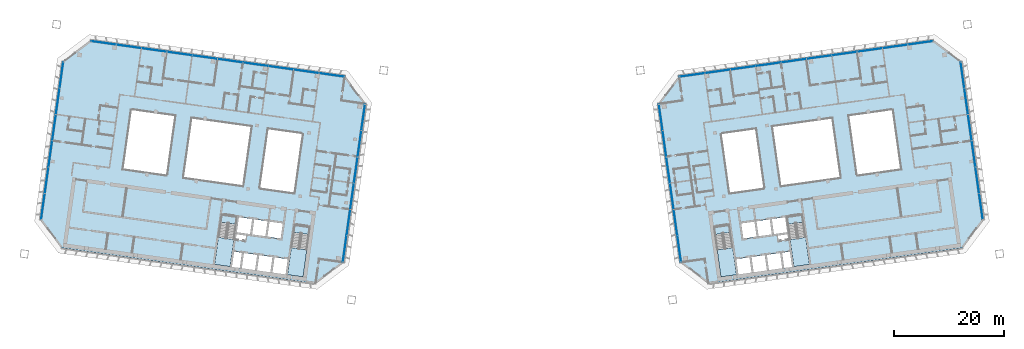
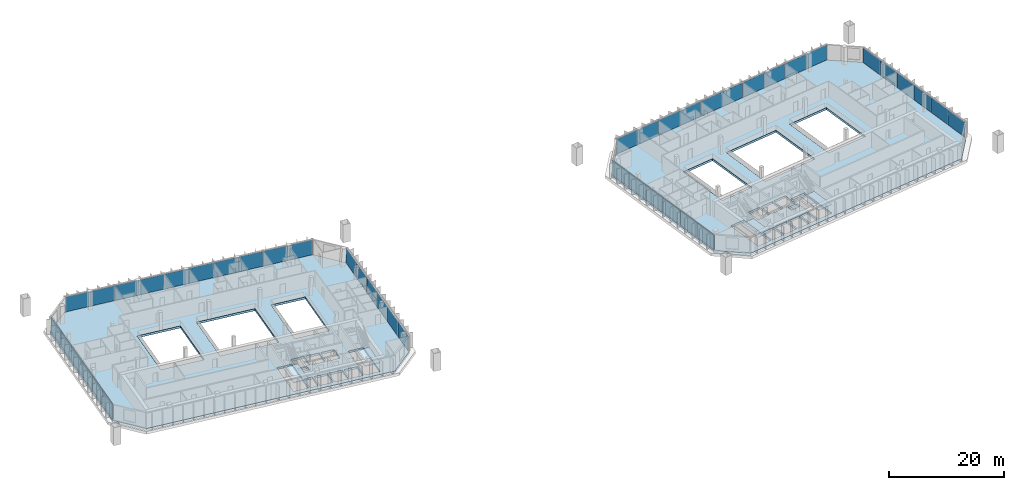
# One storey, part 12 of 23: 44 plates, 6 slabs, 10 elements without a shape of their own.
"""IFC4 building model written with IfcOpenShell, lengths in metres."""

import ifcopenshell
import ifcopenshell.guid

model = None  # the IFC model being written
_history = None  # IfcOwnerHistory: only IFC2X3 demands one
_inside = {}  # id of a spatial element -> (the spatial element, [elements in it])
_under = {}  # id of a project, library or spatial element -> (it, [spatial elements below it])
_declared = {}  # id of a project -> (the project, [libraries it declares])
_typed = {}  # id of a type object -> (the type object, [elements of that type])
_made_of = {}  # id of a material, layer set ... -> (it, [elements and type objects made of it])


def new_model(schema):
    """Start an empty IFC model of exactly this schema.

    Asked for "IFC4X3", IfcOpenShell would pick the latest addendum, in which some entities
    have other attributes; the version numbers below select the first issue.
    IFC2X3 requires an IfcOwnerHistory on every rooted entity: one is made here for all.
    """
    global model, _history
    if schema == "IFC4X3":
        model = ifcopenshell.file(schema_version=(4, 3, 0, 0))
    else:
        model = ifcopenshell.file(schema=schema)
    _inside.clear()
    _under.clear()
    _declared.clear()
    _typed.clear()
    _made_of.clear()
    _history = None
    if model.schema == "IFC2X3":
        org = make("IfcOrganization", Name="unknown")
        user = make(
            "IfcPersonAndOrganization",
            ThePerson=make("IfcPerson", FamilyName="unknown"),
            TheOrganization=org,
        )
        app = make(
            "IfcApplication",
            ApplicationDeveloper=org,
            Version="unknown",
            ApplicationFullName="unknown",
            ApplicationIdentifier="unknown",
        )
        _history = make(
            "IfcOwnerHistory",
            OwningUser=user,
            OwningApplication=app,
            ChangeAction="ADDED",
            CreationDate=0,
        )
    return model


def make(cls, **values):
    """One entity of the class cls with the attributes given. An attribute that is None is left unset."""
    return model.create_entity(
        cls, **{name: value for name, value in values.items() if value is not None}
    )


def rooted(cls, **values):
    """An entity with a GlobalId (a new one), such as an element, a storey or a relation."""
    return make(cls, GlobalId=ifcopenshell.guid.new(), OwnerHistory=_history, **values)


def si_unit(unit_type, name, prefix=None):
    """IfcSIUnit, for example si_unit("LENGTHUNIT", "METRE", prefix="MILLI")."""
    return make("IfcSIUnit", UnitType=unit_type, Prefix=prefix, Name=name)


def assignment(units):
    """IfcUnitAssignment: the units of a project."""
    return None if units is None else make("IfcUnitAssignment", Units=units)


def point(xyz):
    """IfcCartesianPoint."""
    return None if xyz is None else make("IfcCartesianPoint", Coordinates=xyz)


def direction(xyz):
    """IfcDirection."""
    return None if xyz is None else make("IfcDirection", DirectionRatios=xyz)


def frame(location, z_axis=None, x_axis=None):
    """IfcAxis2Placement3D, a coordinate frame: its origin and axes. An axis left out is left unset."""
    return make(
        "IfcAxis2Placement3D",
        Location=point(location),
        Axis=direction(z_axis),
        RefDirection=direction(x_axis),
    )


def frame_2d(location, x_axis=None):
    """IfcAxis2Placement2D, a coordinate frame in the plane: its origin and x axis."""
    return make(
        "IfcAxis2Placement2D", Location=point(location), RefDirection=direction(x_axis)
    )


def origin():
    """The frame at (0, 0, 0) with its axes left unset."""
    return frame((0.0, 0.0, 0.0))


def origin_2d():
    """The frame at (0, 0) in the plane with its x axis left unset."""
    return frame_2d((0.0, 0.0))


def place(relative_to, where):
    """IfcLocalPlacement: puts the frame where relative to a parent placement (None: the world)."""
    return make(
        "IfcLocalPlacement", PlacementRelTo=relative_to, RelativePlacement=where
    )


def context(
    kind, dimensions, precision=None, world=None, true_north=None, identifier=None
):
    """IfcGeometricRepresentationContext, for example the 3D "Model" context."""
    return make(
        "IfcGeometricRepresentationContext",
        ContextIdentifier=identifier,
        ContextType=kind,
        CoordinateSpaceDimension=dimensions,
        Precision=precision,
        WorldCoordinateSystem=world,
        TrueNorth=true_north,
    )


def subcontext(parent, identifier, kind, view, scale=None):
    """IfcGeometricRepresentationSubContext, for example "Body" below "Model"."""
    return make(
        "IfcGeometricRepresentationSubContext",
        ContextIdentifier=identifier,
        ContextType=kind,
        ParentContext=parent,
        TargetScale=scale,
        TargetView=view,
    )


def project(units=None, contexts=None):
    """IfcProject with its units and contexts."""
    return rooted(
        "IfcProject",
        Name="project",
        RepresentationContexts=contexts,
        UnitsInContext=assignment(units),
    )


def spatial(cls, under=None, at=None, **own):
    """A site, building, storey or space (cls), placed at a placement, below another one or the project."""
    s = rooted(cls, ObjectPlacement=at, **own)
    if under is not None:
        _under.setdefault(under.id(), (under, []))[1].append(s)
    return s


def polyline(points):
    """IfcPolyline through the points."""
    return make("IfcPolyline", Points=[point(p) for p in points])


def profile(cls, at=None, kind="AREA", **sizes):
    """A parametric profile (cls). Its sizes go by their IFC names, for example OverallWidth=200.0."""
    return make(cls, ProfileType=kind, Position=at, **sizes)


def rectangle(**sizes):
    """IfcRectangleProfileDef."""
    return profile("IfcRectangleProfileDef", **sizes)


def outline(outer, holes=None, kind="AREA"):
    """IfcArbitraryClosedProfileDef: a profile drawn as a closed curve; with holes, ...WithVoids."""
    if holes is None:
        return make("IfcArbitraryClosedProfileDef", ProfileType=kind, OuterCurve=outer)
    return make(
        "IfcArbitraryProfileDefWithVoids",
        ProfileType=kind,
        OuterCurve=outer,
        InnerCurves=holes,
    )


def extrude(swept, where, along, depth):
    """IfcExtrudedAreaSolid: the profile swept, set in the frame where, extruded along a direction by depth."""
    return make(
        "IfcExtrudedAreaSolid",
        SweptArea=swept,
        Position=where,
        ExtrudedDirection=direction(along),
        Depth=depth,
    )


def shape(context_of_items, identifier, shape_type, items):
    """IfcShapeRepresentation: the items that make up one representation, for example the "Body"."""
    return make(
        "IfcShapeRepresentation",
        ContextOfItems=context_of_items,
        RepresentationIdentifier=identifier,
        RepresentationType=shape_type,
        Items=items,
    )


def material(Name=None, Category=None):
    """IfcMaterial."""
    return make("IfcMaterial", Name=Name, Category=Category)


def layer(
    of_material, thickness, ventilated=None, Name=None, Category=None, Priority=None
):
    """IfcMaterialLayer: one layer of a wall or slab, of a material (None: an air gap)."""
    return make(
        "IfcMaterialLayer",
        Material=of_material,
        LayerThickness=thickness,
        IsVentilated=ventilated,
        Name=Name,
        Category=Category,
        Priority=Priority,
    )


def layer_set(layers, Name=None):
    """IfcMaterialLayerSet."""
    return make("IfcMaterialLayerSet", MaterialLayers=layers, LayerSetName=Name)


def made_of(thing, what):
    """Note that an element or type object is made of a material, layer set ...; save() writes the relation."""
    if what is not None:
        _made_of.setdefault(what.id(), (what, []))[1].append(thing)
    return thing


def type_object(cls, material=None, **own):
    """A type object (cls), such as IfcWallType, which elements share."""
    return made_of(rooted(cls, **own), material)


def element(
    cls,
    number,
    at=None,
    inside=None,
    cuts=None,
    type_object=None,
    material=None,
    context=None,
    identifier="Body",
    shape_type=None,
    held_by="IfcProductDefinitionShape",
    body=None,
    shapes=None,
    **own,
):
    """One element of the class cls, such as IfcWall. Its Tag is "e" and its number.

    at: its placement. inside: the storey or other place that contains it. cuts: it is an
    opening in that element (IfcRelVoidsElement). A single representation is given by context,
    identifier, shape_type and body (its items); several are given by shapes. held_by: the class
    of the entity that holds the representations. save() writes the other relations.
    """
    e = rooted(cls, Tag="e%d" % number, ObjectPlacement=at, **own)
    if body is not None:
        shapes = [shape(context, identifier, shape_type, body)]
    if shapes is not None:
        e.Representation = make(held_by, Representations=shapes)
    if inside is not None:
        _inside.setdefault(inside.id(), (inside, []))[1].append(e)
    if cuts is not None:
        rooted(
            "IfcRelVoidsElement", RelatingBuildingElement=cuts, RelatedOpeningElement=e
        )
    if type_object is not None:
        _typed.setdefault(type_object.id(), (type_object, []))[1].append(e)
    return made_of(e, material)


def aggregate(whole, parts):
    """IfcRelAggregates: a whole, such as a stair, and the parts it consists of."""
    return rooted("IfcRelAggregates", RelatingObject=whole, RelatedObjects=parts)


def save(model, path):
    """Write the relations noted so far, then the file.

    IfcRelAggregates (storeys below a building ...), IfcRelContainedInSpatialStructure (elements
    in a storey), IfcRelDefinesByType, IfcRelAssociatesMaterial and IfcRelDeclares: one each for
    every whole, place, type object, material and project.
    """
    for whole, parts in _under.values():
        aggregate(whole, parts)
    for where, things in _inside.values():
        rooted(
            "IfcRelContainedInSpatialStructure",
            RelatedElements=things,
            RelatingStructure=where,
        )
    for kind, things in _typed.values():
        rooted("IfcRelDefinesByType", RelatedObjects=things, RelatingType=kind)
    for what, things in _made_of.values():
        rooted("IfcRelAssociatesMaterial", RelatedObjects=things, RelatingMaterial=what)
    for by, libraries in _declared.values():
        rooted("IfcRelDeclares", RelatingContext=by, RelatedDefinitions=libraries)
    model.write(path)


model = new_model("IFC4")

# Units and contexts
model_context = context("Model", 3, precision=1e-05, world=origin(), true_north=direction((0.0, 1.0)))
body_context = subcontext(model_context, "Body", "Model", "MODEL_VIEW")
ifc_project = project(units=[si_unit("LENGTHUNIT", "METRE"), si_unit("AREAUNIT", "SQUARE_METRE"), si_unit("VOLUMEUNIT", "CUBIC_METRE"), si_unit("PLANEANGLEUNIT", "RADIAN"), si_unit("MASSUNIT", "GRAM", prefix="KILO")], contexts=[model_context])

# Site, building, storey
site_placement = place(None, origin())
site = spatial("IfcSite", under=ifc_project, at=site_placement, CompositionType="ELEMENT")
building_placement = place(site_placement, origin())
building = spatial("IfcBuilding", under=site, at=building_placement, Name="Mirante Cascada Hotel Towers", CompositionType="ELEMENT")
storey_placement = place(building_placement, frame((0.0, 0.0, 187.8)))
storey = spatial("IfcBuildingStorey", under=building, at=storey_placement, Name="L44", CompositionType="ELEMENT", Elevation=187.8)

# Curtain wall, plates
ifc_material_1 = material(Name="Aluminium mullion and transom frame with clear laminated glass", Category="aluminium")
curtain_wall_type_1 = type_object("IfcCurtainWallType", Name="Ribbon curtain wall ECW1", PredefinedType="NOTDEFINED", material=ifc_material_1)
curtain_wall_1_placement = place(storey_placement, origin())
curtain_wall_1 = element("IfcCurtainWall", 1, at=curtain_wall_1_placement, inside=storey, type_object=curtain_wall_type_1, Name="Front ribbon wall T1 L44", PredefinedType="NOTDEFINED")
ifc_material_2 = material(Name="Clear laminated glass", Category="glass")
ifc_layer_1 = layer(ifc_material_2, 0.036)
ifc_layer_set_1 = layer_set([ifc_layer_1], Name="ECW1 glass panel 36")
plate_type_1 = type_object("IfcPlateType", Name="ECW1 glass panel 36", PredefinedType="CURTAIN_PANEL", material=ifc_layer_set_1)
plate_1_placement = place(storey_placement, frame((-74.0197, 23.2218, 0.1), z_axis=(0.0, 0.0, 1.0), x_axis=(0.9902681, -0.1391731, 0.0)))
plate_1 = element("IfcPlate", 2, at=plate_1_placement, type_object=plate_type_1, Name="ECW1 panel 1", PredefinedType="CURTAIN_PANEL", context=body_context, shape_type="SweptSolid", body=[
    extrude(rectangle(XDim=4.5428, YDim=0.036, at=origin_2d()), origin(), (0.0, 0.0, 1.0), 3.15),
])
plate_2_placement = place(storey_placement, frame((-69.4406, 22.5783, 0.1), z_axis=(0.0, 0.0, 1.0), x_axis=(0.9902681, -0.1391731, 0.0)))
plate_2 = element("IfcPlate", 3, at=plate_2_placement, type_object=plate_type_1, Name="ECW1 panel 2", PredefinedType="CURTAIN_PANEL", context=body_context, shape_type="SweptSolid", body=[
    extrude(rectangle(XDim=4.5753, YDim=0.036, at=origin_2d()), origin(), (0.0, 0.0, 1.0), 3.15),
])
plate_3_placement = place(storey_placement, frame((-64.8455, 21.9325, 0.1), z_axis=(0.0, 0.0, 1.0), x_axis=(0.9902681, -0.1391731, 0.0)))
plate_3 = element("IfcPlate", 4, at=plate_3_placement, type_object=plate_type_1, Name="ECW1 panel 3", PredefinedType="CURTAIN_PANEL", context=body_context, shape_type="SweptSolid", body=[
    extrude(rectangle(XDim=4.5753, YDim=0.036, at=origin_2d()), origin(), (0.0, 0.0, 1.0), 3.15),
])
plate_4_placement = place(storey_placement, frame((-60.2503, 21.2867, 0.1), z_axis=(0.0, 0.0, 1.0), x_axis=(0.9902681, -0.1391731, 0.0)))
plate_4 = element("IfcPlate", 5, at=plate_4_placement, type_object=plate_type_1, Name="ECW1 panel 4", PredefinedType="CURTAIN_PANEL", context=body_context, shape_type="SweptSolid", body=[
    extrude(rectangle(XDim=4.5753, YDim=0.036, at=origin_2d()), origin(), (0.0, 0.0, 1.0), 3.15),
])
plate_5_placement = place(storey_placement, frame((-55.6552, 20.6408, 0.1), z_axis=(0.0, 0.0, 1.0), x_axis=(0.9902681, -0.1391731, 0.0)))
plate_5 = element("IfcPlate", 6, at=plate_5_placement, type_object=plate_type_1, Name="ECW1 panel 5", PredefinedType="CURTAIN_PANEL", context=body_context, shape_type="SweptSolid", body=[
    extrude(rectangle(XDim=4.5753, YDim=0.036, at=origin_2d()), origin(), (0.0, 0.0, 1.0), 3.15),
])
plate_6_placement = place(storey_placement, frame((-51.06, 19.995, 0.1), z_axis=(0.0, 0.0, 1.0), x_axis=(0.9902681, -0.1391731, 0.0)))
plate_6 = element("IfcPlate", 7, at=plate_6_placement, type_object=plate_type_1, Name="ECW1 panel 6", PredefinedType="CURTAIN_PANEL", context=body_context, shape_type="SweptSolid", body=[
    extrude(rectangle(XDim=4.5753, YDim=0.036, at=origin_2d()), origin(), (0.0, 0.0, 1.0), 3.15),
])
plate_7_placement = place(storey_placement, frame((-46.4649, 19.3492, 0.1), z_axis=(0.0, 0.0, 1.0), x_axis=(0.9902681, -0.1391731, 0.0)))
plate_7 = element("IfcPlate", 8, at=plate_7_placement, type_object=plate_type_1, Name="ECW1 panel 7", PredefinedType="CURTAIN_PANEL", context=body_context, shape_type="SweptSolid", body=[
    extrude(rectangle(XDim=4.5753, YDim=0.036, at=origin_2d()), origin(), (0.0, 0.0, 1.0), 3.15),
])
plate_8_placement = place(storey_placement, frame((-41.8697, 18.7034, 0.1), z_axis=(0.0, 0.0, 1.0), x_axis=(0.9902681, -0.1391731, 0.0)))
plate_8 = element("IfcPlate", 9, at=plate_8_placement, type_object=plate_type_1, Name="ECW1 panel 8", PredefinedType="CURTAIN_PANEL", context=body_context, shape_type="SweptSolid", body=[
    extrude(rectangle(XDim=4.5753, YDim=0.036, at=origin_2d()), origin(), (0.0, 0.0, 1.0), 3.15),
])
plate_9_placement = place(storey_placement, frame((-37.2746, 18.0576, 0.1), z_axis=(0.0, 0.0, 1.0), x_axis=(0.9902681, -0.1391731, 0.0)))
plate_9 = element("IfcPlate", 10, at=plate_9_placement, type_object=plate_type_1, Name="ECW1 panel 9", PredefinedType="CURTAIN_PANEL", context=body_context, shape_type="SweptSolid", body=[
    extrude(rectangle(XDim=4.5753, YDim=0.036, at=origin_2d()), origin(), (0.0, 0.0, 1.0), 3.15),
])
plate_10_placement = place(storey_placement, frame((-32.6955, 17.4141, 0.1), z_axis=(0.0, 0.0, 1.0), x_axis=(0.9902681, -0.1391731, 0.0)))
plate_10 = element("IfcPlate", 11, at=plate_10_placement, type_object=plate_type_1, Name="ECW1 panel 10", PredefinedType="CURTAIN_PANEL", context=body_context, shape_type="SweptSolid", body=[
    extrude(rectangle(XDim=4.5428, YDim=0.036, at=origin_2d()), origin(), (0.0, 0.0, 1.0), 3.15),
])
aggregate(curtain_wall_1, [plate_1, plate_2, plate_3, plate_4, plate_5, plate_6, plate_7, plate_8, plate_9, plate_10])

curtain_wall_2_placement = place(storey_placement, origin())
curtain_wall_2 = element("IfcCurtainWall", 12, at=curtain_wall_2_placement, inside=storey, type_object=curtain_wall_type_1, Name="Front ribbon wall T2 L44", PredefinedType="NOTDEFINED")
plate_11_placement = place(storey_placement, frame((74.0197, 23.2218, 0.1), z_axis=(0.0, 0.0, 1.0), x_axis=(-0.9902681, -0.1391731, 0.0)))
plate_11 = element("IfcPlate", 13, at=plate_11_placement, type_object=plate_type_1, Name="ECW1 panel 1", PredefinedType="CURTAIN_PANEL", context=body_context, shape_type="SweptSolid", body=[
    extrude(rectangle(XDim=4.5428, YDim=0.036, at=origin_2d()), origin(), (0.0, 0.0, 1.0), 3.15),
])
plate_12_placement = place(storey_placement, frame((69.4406, 22.5783, 0.1), z_axis=(0.0, 0.0, 1.0), x_axis=(-0.9902681, -0.1391731, 0.0)))
plate_12 = element("IfcPlate", 14, at=plate_12_placement, type_object=plate_type_1, Name="ECW1 panel 2", PredefinedType="CURTAIN_PANEL", context=body_context, shape_type="SweptSolid", body=[
    extrude(rectangle(XDim=4.5753, YDim=0.036, at=origin_2d()), origin(), (0.0, 0.0, 1.0), 3.15),
])
plate_13_placement = place(storey_placement, frame((64.8455, 21.9325, 0.1), z_axis=(0.0, 0.0, 1.0), x_axis=(-0.9902681, -0.1391731, 0.0)))
plate_13 = element("IfcPlate", 15, at=plate_13_placement, type_object=plate_type_1, Name="ECW1 panel 3", PredefinedType="CURTAIN_PANEL", context=body_context, shape_type="SweptSolid", body=[
    extrude(rectangle(XDim=4.5753, YDim=0.036, at=origin_2d()), origin(), (0.0, 0.0, 1.0), 3.15),
])
plate_14_placement = place(storey_placement, frame((60.2503, 21.2867, 0.1), z_axis=(0.0, 0.0, 1.0), x_axis=(-0.9902681, -0.1391731, 0.0)))
plate_14 = element("IfcPlate", 16, at=plate_14_placement, type_object=plate_type_1, Name="ECW1 panel 4", PredefinedType="CURTAIN_PANEL", context=body_context, shape_type="SweptSolid", body=[
    extrude(rectangle(XDim=4.5753, YDim=0.036, at=origin_2d()), origin(), (0.0, 0.0, 1.0), 3.15),
])
plate_15_placement = place(storey_placement, frame((55.6552, 20.6408, 0.1), z_axis=(0.0, 0.0, 1.0), x_axis=(-0.9902681, -0.1391731, 0.0)))
plate_15 = element("IfcPlate", 17, at=plate_15_placement, type_object=plate_type_1, Name="ECW1 panel 5", PredefinedType="CURTAIN_PANEL", context=body_context, shape_type="SweptSolid", body=[
    extrude(rectangle(XDim=4.5753, YDim=0.036, at=origin_2d()), origin(), (0.0, 0.0, 1.0), 3.15),
])
plate_16_placement = place(storey_placement, frame((51.06, 19.995, 0.1), z_axis=(0.0, 0.0, 1.0), x_axis=(-0.9902681, -0.1391731, 0.0)))
plate_16 = element("IfcPlate", 18, at=plate_16_placement, type_object=plate_type_1, Name="ECW1 panel 6", PredefinedType="CURTAIN_PANEL", context=body_context, shape_type="SweptSolid", body=[
    extrude(rectangle(XDim=4.5753, YDim=0.036, at=origin_2d()), origin(), (0.0, 0.0, 1.0), 3.15),
])
plate_17_placement = place(storey_placement, frame((46.4649, 19.3492, 0.1), z_axis=(0.0, 0.0, 1.0), x_axis=(-0.9902681, -0.1391731, 0.0)))
plate_17 = element("IfcPlate", 19, at=plate_17_placement, type_object=plate_type_1, Name="ECW1 panel 7", PredefinedType="CURTAIN_PANEL", context=body_context, shape_type="SweptSolid", body=[
    extrude(rectangle(XDim=4.5753, YDim=0.036, at=origin_2d()), origin(), (0.0, 0.0, 1.0), 3.15),
])
plate_18_placement = place(storey_placement, frame((41.8697, 18.7034, 0.1), z_axis=(0.0, 0.0, 1.0), x_axis=(-0.9902681, -0.1391731, 0.0)))
plate_18 = element("IfcPlate", 20, at=plate_18_placement, type_object=plate_type_1, Name="ECW1 panel 8", PredefinedType="CURTAIN_PANEL", context=body_context, shape_type="SweptSolid", body=[
    extrude(rectangle(XDim=4.5753, YDim=0.036, at=origin_2d()), origin(), (0.0, 0.0, 1.0), 3.15),
])
plate_19_placement = place(storey_placement, frame((37.2746, 18.0576, 0.1), z_axis=(0.0, 0.0, 1.0), x_axis=(-0.9902681, -0.1391731, 0.0)))
plate_19 = element("IfcPlate", 21, at=plate_19_placement, type_object=plate_type_1, Name="ECW1 panel 9", PredefinedType="CURTAIN_PANEL", context=body_context, shape_type="SweptSolid", body=[
    extrude(rectangle(XDim=4.5753, YDim=0.036, at=origin_2d()), origin(), (0.0, 0.0, 1.0), 3.15),
])
plate_20_placement = place(storey_placement, frame((32.6955, 17.4141, 0.1), z_axis=(0.0, 0.0, 1.0), x_axis=(-0.9902681, -0.1391731, 0.0)))
plate_20 = element("IfcPlate", 22, at=plate_20_placement, type_object=plate_type_1, Name="ECW1 panel 10", PredefinedType="CURTAIN_PANEL", context=body_context, shape_type="SweptSolid", body=[
    extrude(rectangle(XDim=4.5428, YDim=0.036, at=origin_2d()), origin(), (0.0, 0.0, 1.0), 3.15),
])
aggregate(curtain_wall_2, [plate_11, plate_12, plate_13, plate_14, plate_15, plate_16, plate_17, plate_18, plate_19, plate_20])

ifc_material_3 = material(Name="Aluminium mullion and transom frame with clear laminated glass", Category="aluminium")
curtain_wall_type_2 = type_object("IfcCurtainWallType", Name="End ribbon curtain wall ECW2", PredefinedType="NOTDEFINED", material=ifc_material_3)
curtain_wall_3_placement = place(storey_placement, origin())
curtain_wall_3 = element("IfcCurtainWall", 23, at=curtain_wall_3_placement, inside=storey, type_object=curtain_wall_type_2, Name="Inner end wall T1 L44", PredefinedType="NOTDEFINED")
ifc_material_4 = material(Name="Clear laminated glass", Category="glass")
ifc_layer_2 = layer(ifc_material_4, 0.034)
ifc_layer_set_2 = layer_set([ifc_layer_2], Name="ECW2 glass panel 34")
plate_type_2 = type_object("IfcPlateType", Name="ECW2 glass panel 34", PredefinedType="CURTAIN_PANEL", material=ifc_layer_set_2)
plate_21_placement = place(storey_placement, frame((-26.9638, 9.7067, 0.1), z_axis=(0.0, 0.0, 1.0), x_axis=(-0.1391731, -0.9902681, 0.0)))
plate_21 = element("IfcPlate", 24, at=plate_21_placement, type_object=plate_type_2, Name="ECW2 panel 1", PredefinedType="CURTAIN_PANEL", context=body_context, shape_type="SweptSolid", body=[
    extrude(rectangle(XDim=4.7151, YDim=0.034, at=origin_2d()), origin(), (0.0, 0.0, 1.0), 3.15),
])
plate_22_placement = place(storey_placement, frame((-27.6314, 4.957, 0.1), z_axis=(0.0, 0.0, 1.0), x_axis=(-0.1391731, -0.9902681, 0.0)))
plate_22 = element("IfcPlate", 25, at=plate_22_placement, type_object=plate_type_2, Name="ECW2 panel 2", PredefinedType="CURTAIN_PANEL", context=body_context, shape_type="SweptSolid", body=[
    extrude(rectangle(XDim=4.7476, YDim=0.034, at=origin_2d()), origin(), (0.0, 0.0, 1.0), 3.15),
])
plate_23_placement = place(storey_placement, frame((-28.3012, 0.1912, 0.1), z_axis=(0.0, 0.0, 1.0), x_axis=(-0.1391731, -0.9902681, 0.0)))
plate_23 = element("IfcPlate", 26, at=plate_23_placement, type_object=plate_type_2, Name="ECW2 panel 3", PredefinedType="CURTAIN_PANEL", context=body_context, shape_type="SweptSolid", body=[
    extrude(rectangle(XDim=4.7476, YDim=0.034, at=origin_2d()), origin(), (0.0, 0.0, 1.0), 3.15),
])
plate_24_placement = place(storey_placement, frame((-28.9709, -4.5746, 0.1), z_axis=(0.0, 0.0, 1.0), x_axis=(-0.1391731, -0.9902681, 0.0)))
plate_24 = element("IfcPlate", 27, at=plate_24_placement, type_object=plate_type_2, Name="ECW2 panel 4", PredefinedType="CURTAIN_PANEL", context=body_context, shape_type="SweptSolid", body=[
    extrude(rectangle(XDim=4.7476, YDim=0.034, at=origin_2d()), origin(), (0.0, 0.0, 1.0), 3.15),
])
plate_25_placement = place(storey_placement, frame((-29.6407, -9.3404, 0.1), z_axis=(0.0, 0.0, 1.0), x_axis=(-0.1391731, -0.9902681, 0.0)))
plate_25 = element("IfcPlate", 28, at=plate_25_placement, type_object=plate_type_2, Name="ECW2 panel 5", PredefinedType="CURTAIN_PANEL", context=body_context, shape_type="SweptSolid", body=[
    extrude(rectangle(XDim=4.7476, YDim=0.034, at=origin_2d()), origin(), (0.0, 0.0, 1.0), 3.15),
])
plate_26_placement = place(storey_placement, frame((-30.3083, -14.0901, 0.1), z_axis=(0.0, 0.0, 1.0), x_axis=(-0.1391731, -0.9902681, 0.0)))
plate_26 = element("IfcPlate", 29, at=plate_26_placement, type_object=plate_type_2, Name="ECW2 panel 6", PredefinedType="CURTAIN_PANEL", context=body_context, shape_type="SweptSolid", body=[
    extrude(rectangle(XDim=4.7151, YDim=0.034, at=origin_2d()), origin(), (0.0, 0.0, 1.0), 3.15),
])
aggregate(curtain_wall_3, [plate_21, plate_22, plate_23, plate_24, plate_25, plate_26])

curtain_wall_4_placement = place(storey_placement, origin())
curtain_wall_4 = element("IfcCurtainWall", 30, at=curtain_wall_4_placement, inside=storey, type_object=curtain_wall_type_2, Name="Outer end wall T1 L44", PredefinedType="NOTDEFINED")
plate_27_placement = place(storey_placement, frame((-84.9981, -6.4039, 0.1), z_axis=(0.0, 0.0, 1.0), x_axis=(0.1391731, 0.9902681, 0.0)))
plate_27 = element("IfcPlate", 31, at=plate_27_placement, type_object=plate_type_2, Name="ECW2 panel 1", PredefinedType="CURTAIN_PANEL", context=body_context, shape_type="SweptSolid", body=[
    extrude(rectangle(XDim=4.7151, YDim=0.034, at=origin_2d()), origin(), (0.0, 0.0, 1.0), 3.15),
])
plate_28_placement = place(storey_placement, frame((-84.3306, -1.6542, 0.1), z_axis=(0.0, 0.0, 1.0), x_axis=(0.1391731, 0.9902681, 0.0)))
plate_28 = element("IfcPlate", 32, at=plate_28_placement, type_object=plate_type_2, Name="ECW2 panel 2", PredefinedType="CURTAIN_PANEL", context=body_context, shape_type="SweptSolid", body=[
    extrude(rectangle(XDim=4.7476, YDim=0.034, at=origin_2d()), origin(), (0.0, 0.0, 1.0), 3.15),
])
plate_29_placement = place(storey_placement, frame((-83.6608, 3.1116, 0.1), z_axis=(0.0, 0.0, 1.0), x_axis=(0.1391731, 0.9902681, 0.0)))
plate_29 = element("IfcPlate", 33, at=plate_29_placement, type_object=plate_type_2, Name="ECW2 panel 3", PredefinedType="CURTAIN_PANEL", context=body_context, shape_type="SweptSolid", body=[
    extrude(rectangle(XDim=4.7476, YDim=0.034, at=origin_2d()), origin(), (0.0, 0.0, 1.0), 3.15),
])
plate_30_placement = place(storey_placement, frame((-82.991, 7.8774, 0.1), z_axis=(0.0, 0.0, 1.0), x_axis=(0.1391731, 0.9902681, 0.0)))
plate_30 = element("IfcPlate", 34, at=plate_30_placement, type_object=plate_type_2, Name="ECW2 panel 4", PredefinedType="CURTAIN_PANEL", context=body_context, shape_type="SweptSolid", body=[
    extrude(rectangle(XDim=4.7476, YDim=0.034, at=origin_2d()), origin(), (0.0, 0.0, 1.0), 3.15),
])
plate_31_placement = place(storey_placement, frame((-82.3213, 12.6432, 0.1), z_axis=(0.0, 0.0, 1.0), x_axis=(0.1391731, 0.9902681, 0.0)))
plate_31 = element("IfcPlate", 35, at=plate_31_placement, type_object=plate_type_2, Name="ECW2 panel 5", PredefinedType="CURTAIN_PANEL", context=body_context, shape_type="SweptSolid", body=[
    extrude(rectangle(XDim=4.7476, YDim=0.034, at=origin_2d()), origin(), (0.0, 0.0, 1.0), 3.15),
])
plate_32_placement = place(storey_placement, frame((-81.6537, 17.3928, 0.1), z_axis=(0.0, 0.0, 1.0), x_axis=(0.1391731, 0.9902681, 0.0)))
plate_32 = element("IfcPlate", 36, at=plate_32_placement, type_object=plate_type_2, Name="ECW2 panel 6", PredefinedType="CURTAIN_PANEL", context=body_context, shape_type="SweptSolid", body=[
    extrude(rectangle(XDim=4.7151, YDim=0.034, at=origin_2d()), origin(), (0.0, 0.0, 1.0), 3.15),
])
aggregate(curtain_wall_4, [plate_27, plate_28, plate_29, plate_30, plate_31, plate_32])

curtain_wall_5_placement = place(storey_placement, origin())
curtain_wall_5 = element("IfcCurtainWall", 37, at=curtain_wall_5_placement, inside=storey, type_object=curtain_wall_type_2, Name="Inner end wall T2 L44", PredefinedType="NOTDEFINED")
plate_33_placement = place(storey_placement, frame((26.9638, 9.7067, 0.1), z_axis=(0.0, 0.0, 1.0), x_axis=(0.1391731, -0.9902681, 0.0)))
plate_33 = element("IfcPlate", 38, at=plate_33_placement, type_object=plate_type_2, Name="ECW2 panel 1", PredefinedType="CURTAIN_PANEL", context=body_context, shape_type="SweptSolid", body=[
    extrude(rectangle(XDim=4.7151, YDim=0.034, at=origin_2d()), origin(), (0.0, 0.0, 1.0), 3.15),
])
plate_34_placement = place(storey_placement, frame((27.6314, 4.957, 0.1), z_axis=(0.0, 0.0, 1.0), x_axis=(0.1391731, -0.9902681, 0.0)))
plate_34 = element("IfcPlate", 39, at=plate_34_placement, type_object=plate_type_2, Name="ECW2 panel 2", PredefinedType="CURTAIN_PANEL", context=body_context, shape_type="SweptSolid", body=[
    extrude(rectangle(XDim=4.7476, YDim=0.034, at=origin_2d()), origin(), (0.0, 0.0, 1.0), 3.15),
])
plate_35_placement = place(storey_placement, frame((28.3012, 0.1912, 0.1), z_axis=(0.0, 0.0, 1.0), x_axis=(0.1391731, -0.9902681, 0.0)))
plate_35 = element("IfcPlate", 40, at=plate_35_placement, type_object=plate_type_2, Name="ECW2 panel 3", PredefinedType="CURTAIN_PANEL", context=body_context, shape_type="SweptSolid", body=[
    extrude(rectangle(XDim=4.7476, YDim=0.034, at=origin_2d()), origin(), (0.0, 0.0, 1.0), 3.15),
])
plate_36_placement = place(storey_placement, frame((28.9709, -4.5746, 0.1), z_axis=(0.0, 0.0, 1.0), x_axis=(0.1391731, -0.9902681, 0.0)))
plate_36 = element("IfcPlate", 41, at=plate_36_placement, type_object=plate_type_2, Name="ECW2 panel 4", PredefinedType="CURTAIN_PANEL", context=body_context, shape_type="SweptSolid", body=[
    extrude(rectangle(XDim=4.7476, YDim=0.034, at=origin_2d()), origin(), (0.0, 0.0, 1.0), 3.15),
])
plate_37_placement = place(storey_placement, frame((29.6407, -9.3404, 0.1), z_axis=(0.0, 0.0, 1.0), x_axis=(0.1391731, -0.9902681, 0.0)))
plate_37 = element("IfcPlate", 42, at=plate_37_placement, type_object=plate_type_2, Name="ECW2 panel 5", PredefinedType="CURTAIN_PANEL", context=body_context, shape_type="SweptSolid", body=[
    extrude(rectangle(XDim=4.7476, YDim=0.034, at=origin_2d()), origin(), (0.0, 0.0, 1.0), 3.15),
])
plate_38_placement = place(storey_placement, frame((30.3083, -14.0901, 0.1), z_axis=(0.0, 0.0, 1.0), x_axis=(0.1391731, -0.9902681, 0.0)))
plate_38 = element("IfcPlate", 43, at=plate_38_placement, type_object=plate_type_2, Name="ECW2 panel 6", PredefinedType="CURTAIN_PANEL", context=body_context, shape_type="SweptSolid", body=[
    extrude(rectangle(XDim=4.7151, YDim=0.034, at=origin_2d()), origin(), (0.0, 0.0, 1.0), 3.15),
])
aggregate(curtain_wall_5, [plate_33, plate_34, plate_35, plate_36, plate_37, plate_38])

curtain_wall_6_placement = place(storey_placement, origin())
curtain_wall_6 = element("IfcCurtainWall", 44, at=curtain_wall_6_placement, inside=storey, type_object=curtain_wall_type_2, Name="Outer end wall T2 L44", PredefinedType="NOTDEFINED")
plate_39_placement = place(storey_placement, frame((84.9981, -6.4039, 0.1), z_axis=(0.0, 0.0, 1.0), x_axis=(-0.1391731, 0.9902681, 0.0)))
plate_39 = element("IfcPlate", 45, at=plate_39_placement, type_object=plate_type_2, Name="ECW2 panel 1", PredefinedType="CURTAIN_PANEL", context=body_context, shape_type="SweptSolid", body=[
    extrude(rectangle(XDim=4.7151, YDim=0.034, at=origin_2d()), origin(), (0.0, 0.0, 1.0), 3.15),
])
plate_40_placement = place(storey_placement, frame((84.3306, -1.6542, 0.1), z_axis=(0.0, 0.0, 1.0), x_axis=(-0.1391731, 0.9902681, 0.0)))
plate_40 = element("IfcPlate", 46, at=plate_40_placement, type_object=plate_type_2, Name="ECW2 panel 2", PredefinedType="CURTAIN_PANEL", context=body_context, shape_type="SweptSolid", body=[
    extrude(rectangle(XDim=4.7476, YDim=0.034, at=origin_2d()), origin(), (0.0, 0.0, 1.0), 3.15),
])
plate_41_placement = place(storey_placement, frame((83.6608, 3.1116, 0.1), z_axis=(0.0, 0.0, 1.0), x_axis=(-0.1391731, 0.9902681, 0.0)))
plate_41 = element("IfcPlate", 47, at=plate_41_placement, type_object=plate_type_2, Name="ECW2 panel 3", PredefinedType="CURTAIN_PANEL", context=body_context, shape_type="SweptSolid", body=[
    extrude(rectangle(XDim=4.7476, YDim=0.034, at=origin_2d()), origin(), (0.0, 0.0, 1.0), 3.15),
])
plate_42_placement = place(storey_placement, frame((82.991, 7.8774, 0.1), z_axis=(0.0, 0.0, 1.0), x_axis=(-0.1391731, 0.9902681, 0.0)))
plate_42 = element("IfcPlate", 48, at=plate_42_placement, type_object=plate_type_2, Name="ECW2 panel 4", PredefinedType="CURTAIN_PANEL", context=body_context, shape_type="SweptSolid", body=[
    extrude(rectangle(XDim=4.7476, YDim=0.034, at=origin_2d()), origin(), (0.0, 0.0, 1.0), 3.15),
])
plate_43_placement = place(storey_placement, frame((82.3213, 12.6432, 0.1), z_axis=(0.0, 0.0, 1.0), x_axis=(-0.1391731, 0.9902681, 0.0)))
plate_43 = element("IfcPlate", 49, at=plate_43_placement, type_object=plate_type_2, Name="ECW2 panel 5", PredefinedType="CURTAIN_PANEL", context=body_context, shape_type="SweptSolid", body=[
    extrude(rectangle(XDim=4.7476, YDim=0.034, at=origin_2d()), origin(), (0.0, 0.0, 1.0), 3.15),
])
plate_44_placement = place(storey_placement, frame((81.6537, 17.3928, 0.1), z_axis=(0.0, 0.0, 1.0), x_axis=(-0.1391731, 0.9902681, 0.0)))
plate_44 = element("IfcPlate", 50, at=plate_44_placement, type_object=plate_type_2, Name="ECW2 panel 6", PredefinedType="CURTAIN_PANEL", context=body_context, shape_type="SweptSolid", body=[
    extrude(rectangle(XDim=4.7151, YDim=0.034, at=origin_2d()), origin(), (0.0, 0.0, 1.0), 3.15),
])
aggregate(curtain_wall_6, [plate_39, plate_40, plate_41, plate_42, plate_43, plate_44])

# Stair, slab
ifc_material_5 = material(Name="Concrete C35/45", Category="concrete")
stair_type = type_object("IfcStairType", Name="Exit stair half-turn 1350 concrete C35/45", PredefinedType="HALF_TURN_STAIR", material=ifc_material_5)
stair_1_placement = place(storey_placement, origin())
stair_1 = element("IfcStair", 51, at=stair_1_placement, inside=storey, type_object=stair_type, Name="L44 Exit stair A", PredefinedType="HALF_TURN_STAIR")
ifc_material_6 = material(Name="Concrete C35/45", Category="concrete")
ifc_layer_3 = layer(ifc_material_6, 0.2)
ifc_layer_set_3 = layer_set([ifc_layer_3], Name="Exit stair landing 200 concrete C35/45")
slab_type_1 = type_object("IfcSlabType", Name="Exit stair landing 200 concrete C35/45", PredefinedType="LANDING", material=ifc_layer_set_3)
slab_1_placement = place(storey_placement, frame((0.0, 0.0, 1.7)))
slab_1 = element("IfcSlab", 52, at=slab_1_placement, type_object=slab_type_1, Name="ST1-A landing 1", PredefinedType="LANDING", context=body_context, shape_type="SweptSolid", body=[
    extrude(outline(polyline([(-39.9987, -13.8659), (-40.6887, -18.7757), (-37.8665, -19.1723), (-37.1765, -14.2626), (-39.9987, -13.8659)])), origin(), (0.0, 0.0, 1.0), 0.2),
])
aggregate(stair_1, [slab_1])

stair_2_placement = place(storey_placement, origin())
stair_2 = element("IfcStair", 53, at=stair_2_placement, inside=storey, type_object=stair_type, Name="L44 Exit stair B", PredefinedType="HALF_TURN_STAIR")
slab_2_placement = place(storey_placement, frame((0.0, 0.0, 1.7)))
slab_2 = element("IfcSlab", 54, at=slab_2_placement, type_object=slab_type_1, Name="ST1-B landing 1", PredefinedType="LANDING", context=body_context, shape_type="SweptSolid", body=[
    extrude(outline(polyline([(-53.2188, -12.008), (-53.9088, -16.9177), (-51.0866, -17.3144), (-50.3965, -12.4046), (-53.2188, -12.008)])), origin(), (0.0, 0.0, 1.0), 0.2),
])
aggregate(stair_2, [slab_2])

stair_3_placement = place(storey_placement, origin())
stair_3 = element("IfcStair", 55, at=stair_3_placement, inside=storey, type_object=stair_type, Name="L44 Exit stair A", PredefinedType="HALF_TURN_STAIR")
slab_3_placement = place(storey_placement, frame((0.0, 0.0, 1.7)))
slab_3 = element("IfcSlab", 56, at=slab_3_placement, type_object=slab_type_1, Name="ST2-A landing 1", PredefinedType="LANDING", context=body_context, shape_type="SweptSolid", body=[
    extrude(outline(polyline([(37.1765, -14.2626), (37.8665, -19.1723), (40.6887, -18.7757), (39.9987, -13.8659), (37.1765, -14.2626)])), origin(), (0.0, 0.0, 1.0), 0.2),
])
aggregate(stair_3, [slab_3])

stair_4_placement = place(storey_placement, origin())
stair_4 = element("IfcStair", 57, at=stair_4_placement, inside=storey, type_object=stair_type, Name="L44 Exit stair B", PredefinedType="HALF_TURN_STAIR")
slab_4_placement = place(storey_placement, frame((0.0, 0.0, 1.7)))
slab_4 = element("IfcSlab", 58, at=slab_4_placement, type_object=slab_type_1, Name="ST2-B landing 1", PredefinedType="LANDING", context=body_context, shape_type="SweptSolid", body=[
    extrude(outline(polyline([(50.3965, -12.4046), (51.0866, -17.3144), (53.9088, -16.9177), (53.2188, -12.008), (50.3965, -12.4046)])), origin(), (0.0, 0.0, 1.0), 0.2),
])
aggregate(stair_4, [slab_4])

# Slabs
ifc_material_7 = material(Name="Concrete C40/50", Category="concrete")
ifc_layer_4 = layer(ifc_material_7, 0.45)
ifc_layer_set_4 = layer_set([ifc_layer_4], Name="Post-tensioned flat plate 450 Concrete C40/50")
slab_type_2 = type_object("IfcSlabType", Name="Post-tensioned flat plate 450 Concrete C40/50", PredefinedType="FLOOR", material=ifc_layer_set_4)
slab_5_placement = place(storey_placement, frame((0.0, 0.0, -0.45)))
element("IfcSlab", 59, at=slab_5_placement, inside=storey, type_object=slab_type_2, Name="Floor T1 L44", PredefinedType="FLOOR", context=body_context, shape_type="SweptSolid", body=[
    extrude(outline(polyline([(-30.5055, -16.5715), (-26.4695, 12.1463), (-30.2994, 17.2288), (-76.374, 23.7042), (-81.4565, 19.8742), (-85.4925, -8.8435), (-81.6626, -13.926), (-35.588, -20.4014), (-30.5055, -16.5715)]), holes=[polyline([(-40.5961, -15.9612), (-40.9858, -18.7339), (-43.4615, -18.386), (-43.0718, -15.6132), (-40.5961, -15.9612)]), polyline([(-43.3689, -15.5715), (-43.7586, -18.3442), (-46.2342, -17.9963), (-45.8446, -15.2236), (-43.3689, -15.5715)]), polyline([(-46.1416, -15.1818), (-46.5313, -17.9546), (-49.007, -17.6066), (-48.6173, -14.8339), (-46.1416, -15.1818)]), polyline([(-36.7887, -11.5037), (-37.8665, -19.1723), (-40.6887, -18.7757), (-39.611, -11.107), (-36.7887, -11.5037)]), polyline([(-43.9775, -9.124), (-41.5018, -9.472), (-41.8915, -12.2447), (-44.3672, -11.8968), (-43.9775, -9.124)]), polyline([(-44.2746, -9.0823), (-44.6643, -11.855), (-47.1399, -11.5071), (-46.7503, -8.7344), (-44.2746, -9.0823)]), polyline([(-50.3998, -14.5834), (-48.9144, -14.7921), (-49.3041, -17.5649), (-50.7895, -17.3561), (-50.3998, -14.5834)]), polyline([(-50.0088, -9.6457), (-51.0866, -17.3144), (-53.9088, -16.9177), (-52.8311, -9.2491), (-50.0088, -9.6457)]), polyline([(-48.1472, -11.6685), (-48.2829, -12.634), (-50.0901, -12.38), (-49.9544, -11.4145), (-48.1472, -11.6685)]), polyline([(-49.523, -8.3447), (-47.0473, -8.6926), (-47.437, -11.4654), (-49.9127, -11.1174), (-49.523, -8.3447)]), polyline([(-61.0171, 10.0339), (-61.0171, 10.0339), (-62.548, -0.8591), (-62.548, -0.8591), (-70.579, 0.2696), (-69.0481, 11.1625), (-61.0171, 10.0339)]), polyline([(-47.1948, 8.0913), (-48.7257, -2.8017), (-48.7257, -2.8017), (-59.5752, -1.2769), (-59.5752, -1.2769), (-58.0443, 9.6161), (-47.1948, 8.0913)]), polyline([(-37.8547, 6.7786), (-39.3856, -4.1144), (-45.7529, -3.2195), (-45.7529, -3.2195), (-44.222, 7.6735), (-37.8547, 6.7786)])]), origin(), (0.0, 0.0, 1.0), 0.45),
])
slab_6_placement = place(storey_placement, frame((0.0, 0.0, -0.45)))
element("IfcSlab", 60, at=slab_6_placement, inside=storey, type_object=slab_type_2, Name="Floor T2 L44", PredefinedType="FLOOR", context=body_context, shape_type="SweptSolid", body=[
    extrude(outline(polyline([(30.5055, -16.5715), (26.4695, 12.1463), (30.2994, 17.2288), (76.374, 23.7042), (81.4565, 19.8742), (85.4925, -8.8435), (81.6626, -13.926), (35.588, -20.4014), (30.5055, -16.5715)]), holes=[polyline([(40.5961, -15.9612), (40.9858, -18.7339), (43.4615, -18.386), (43.0718, -15.6132), (40.5961, -15.9612)]), polyline([(43.3689, -15.5715), (43.7586, -18.3442), (46.2342, -17.9963), (45.8446, -15.2236), (43.3689, -15.5715)]), polyline([(46.1416, -15.1818), (46.5313, -17.9546), (49.007, -17.6066), (48.6173, -14.8339), (46.1416, -15.1818)]), polyline([(37.8665, -19.1723), (40.6887, -18.7757), (39.611, -11.107), (36.7887, -11.5037), (37.8665, -19.1723)]), polyline([(43.9775, -9.124), (41.5018, -9.472), (41.8915, -12.2447), (44.3672, -11.8968), (43.9775, -9.124)]), polyline([(44.2746, -9.0823), (44.6643, -11.855), (47.1399, -11.5071), (46.7503, -8.7344), (44.2746, -9.0823)]), polyline([(50.3998, -14.5834), (48.9144, -14.7921), (49.3041, -17.5649), (50.7895, -17.3561), (50.3998, -14.5834)]), polyline([(51.0866, -17.3144), (53.9088, -16.9177), (52.8311, -9.2491), (50.0088, -9.6457), (51.0866, -17.3144)]), polyline([(48.1472, -11.6685), (48.2829, -12.634), (50.0901, -12.38), (49.9544, -11.4145), (48.1472, -11.6685)]), polyline([(49.523, -8.3447), (47.0473, -8.6926), (47.437, -11.4654), (49.9127, -11.1174), (49.523, -8.3447)]), polyline([(69.0481, 11.1625), (70.579, 0.2696), (62.548, -0.8591), (62.548, -0.8591), (61.0171, 10.0339), (61.0171, 10.0339), (69.0481, 11.1625)]), polyline([(58.0443, 9.6161), (59.5752, -1.2769), (59.5752, -1.2769), (48.7257, -2.8017), (48.7257, -2.8017), (47.1948, 8.0913), (58.0443, 9.6161)]), polyline([(39.3856, -4.1144), (37.8547, 6.7786), (44.222, 7.6735), (45.7529, -3.2195), (45.7529, -3.2195), (39.3856, -4.1144)])]), origin(), (0.0, 0.0, 1.0), 0.45),
])

save(model, "model.ifc")
